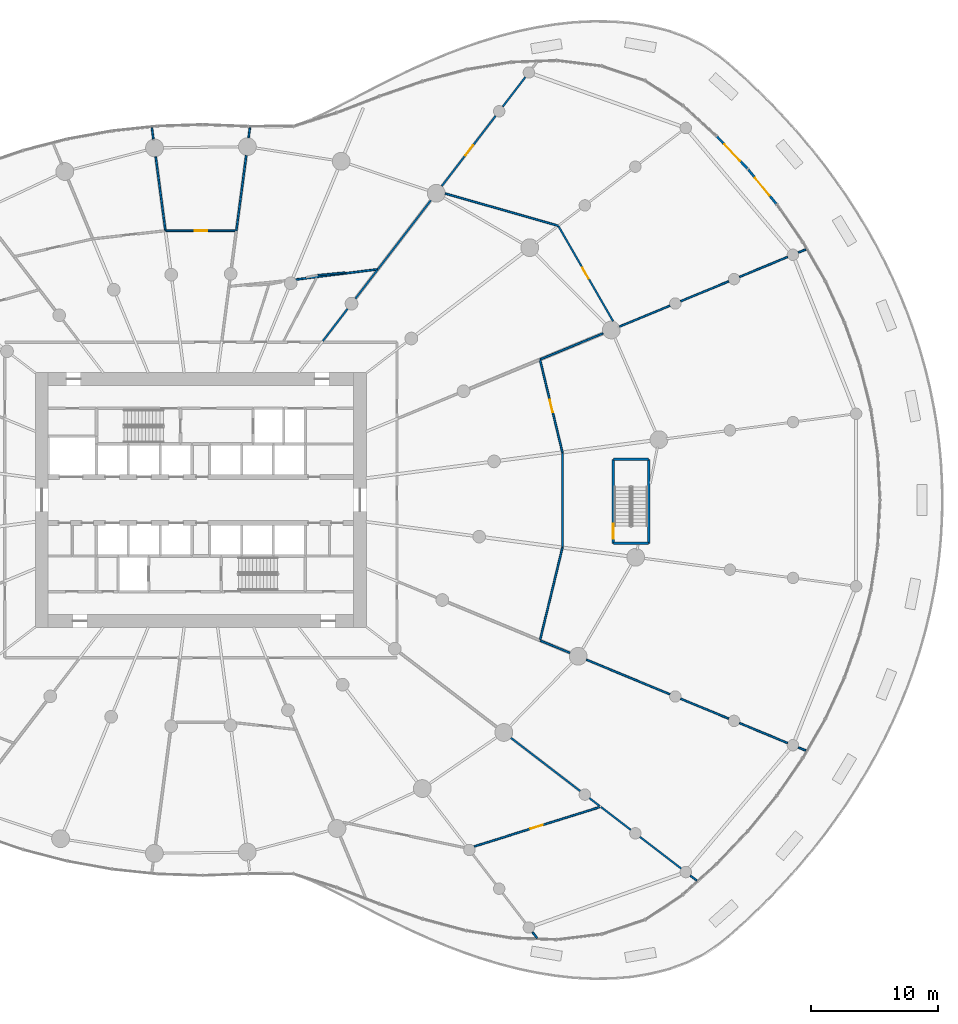
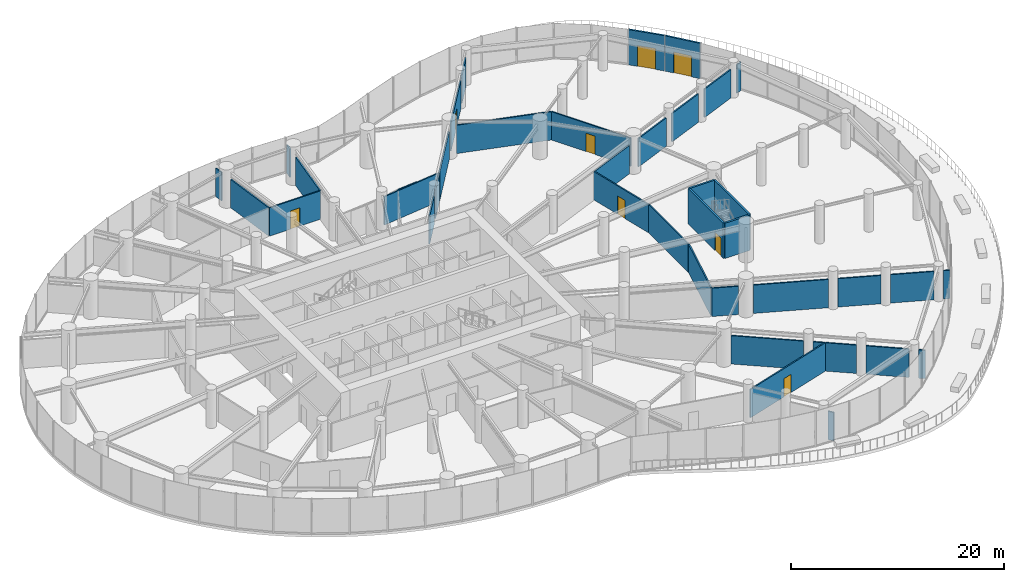
# One storey, part 18 of 24: 40 walls, 8 doors, 8 openings.
"""IFC4 building model written with IfcOpenShell, lengths in metres."""

from ifc_helpers import new_model, si_unit, direction, frame, frame_2d, origin, place, context, subcontext, project, spatial, rectangle, extrude, source, transform, mapped, material, layer, layer_set, type_object, element, fill, save


model = new_model("IFC4")

# Units and contexts
model_context = context("Model", 3, precision=1e-05, world=origin(), true_north=direction((0.0, 1.0)))
body_context = subcontext(model_context, "Body", "Model", "MODEL_VIEW")
ifc_project = project(units=[si_unit("LENGTHUNIT", "METRE"), si_unit("AREAUNIT", "SQUARE_METRE"), si_unit("VOLUMEUNIT", "CUBIC_METRE"), si_unit("PLANEANGLEUNIT", "RADIAN"), si_unit("MASSUNIT", "GRAM", prefix="KILO")], contexts=[model_context])

# Site, building, storey
site_placement = place(None, origin())
site = spatial("IfcSite", under=ifc_project, at=site_placement, CompositionType="ELEMENT")
building_placement = place(site_placement, origin())
building = spatial("IfcBuilding", under=site, at=building_placement, Name="Spindrift Exchange Tower", CompositionType="ELEMENT")
storey_placement = place(building_placement, frame((0.0, 0.0, 5.0)))
storey = spatial("IfcBuildingStorey", under=building, at=storey_placement, Name="L01", CompositionType="ELEMENT", Elevation=5.0)

# Wall, opening, door
ifc_material_1 = material(Name="Bronze anodised aluminium frame with fritted laminated glass spandrel", Category="aluminium")
ifc_layer_1 = layer(ifc_material_1, 0.179931640625)
ifc_layer_set_1 = layer_set([ifc_layer_1], Name="UNITISED FRAME WALL")
wall_type_1 = type_object("IfcWallType", Name="UNITISED FRAME WALL", PredefinedType="STANDARD", material=ifc_layer_set_1)
wall_1_placement = place(storey_placement, frame((97.2099609375, 71.264892578125, 0.0), z_axis=(0.0, 0.0, 1.0), x_axis=(-0.632333608818, 0.77469620314, 0.0)))
wall_1 = element("IfcWall", 1, at=wall_1_placement, inside=storey, type_object=wall_type_1, Name="L01 Frame Wall 8", PredefinedType="STANDARD", context=body_context, shape_type="SweptSolid", body=[
    extrude(rectangle(XDim=3.486328125, YDim=0.179931640625, at=frame_2d((1.7431640625, 0.0))), origin(), (0.0, 0.0, 1.0), 4.050048828125),
])
opening_1_placement = place(wall_1_placement, frame((0.84326171875, 0.0, 0.0)))
opening_1 = element("IfcOpeningElement", 2, at=opening_1_placement, cuts=wall_1, Name="Opening ED01-1", PredefinedType="OPENING", context=body_context, shape_type="SweptSolid", body=[
    extrude(rectangle(XDim=1.800048828125, YDim=2.39990234375, at=frame_2d((0.89990234375, 1.199951171875))), frame((0.0, 0.099853515625, 0.0), z_axis=(0.0, -1.0, 0.0), x_axis=(1.0, 0.0, 0.0)), (0.0, 0.0, 1.0), 0.199951171875),
])
ifc_material_2 = material(Name="Toughened laminated glass in bronze frame", Category="glass")
door_type_1 = type_object("IfcDoorType", Name="TERRACE GLASS DOOR 1800X2400", OperationType="DOUBLE_DOOR_SINGLE_SWING", PredefinedType="DOOR", material=ifc_material_2)
shared_shape_1 = source(origin(), body_context, "Body", "SweptSolid", [
    extrude(rectangle(XDim=1.800048828125, YDim=2.39990234375, at=frame_2d((0.89990234375, 1.199951171875))), frame((0.0, 0.02490234375, 0.0), z_axis=(0.0, -1.0, 0.0), x_axis=(1.0, 0.0, 0.0)), (0.0, 0.0, 1.0), 0.050048828125),
])
door_1_placement = place(opening_1_placement, origin())
door_1 = element("IfcDoor", 3, at=door_1_placement, inside=storey, type_object=door_type_1, Name="L01 Terrace Glass Door ED01-1", OperationType="DOUBLE_DOOR_SINGLE_SWING", OverallHeight=2.39990234375, OverallWidth=1.800048828125, PredefinedType="DOOR", context=body_context, shape_type="MappedRepresentation", body=[
    mapped(shared_shape_1, transform((0.0, 0.0, 0.0), scale=1.0)),
])
fill(opening_1, door_1)

wall_2_placement = place(storey_placement, frame((94.94580078125, 74.033447265625, 0.0), z_axis=(0.0, 0.0, 1.0), x_axis=(-0.689168934046, 0.724600704075, 0.0)))
wall_2 = element("IfcWall", 4, at=wall_2_placement, inside=storey, type_object=wall_type_1, Name="L01 Frame Wall 9", PredefinedType="STANDARD", context=body_context, shape_type="SweptSolid", body=[
    extrude(rectangle(XDim=3.486572265625, YDim=0.179931640625, at=frame_2d((1.7431640625, 0.0))), origin(), (0.0, 0.0, 1.0), 4.050048828125),
])
opening_2_placement = place(wall_2_placement, frame((0.84326171875, 0.0, 0.0)))
opening_2 = element("IfcOpeningElement", 5, at=opening_2_placement, cuts=wall_2, Name="Opening ED01-2", PredefinedType="OPENING", context=body_context, shape_type="SweptSolid", body=[
    extrude(rectangle(XDim=1.800048828125, YDim=2.39990234375, at=frame_2d((0.89990234375, 1.199951171875))), frame((0.0, 0.099853515625, 0.0), z_axis=(0.0, -1.0, 0.0), x_axis=(1.0, 0.0, 0.0)), (0.0, 0.0, 1.0), 0.199951171875),
])
door_2_placement = place(opening_2_placement, origin())
door_2 = element("IfcDoor", 6, at=door_2_placement, inside=storey, type_object=door_type_1, Name="L01 Terrace Glass Door ED01-2", OperationType="DOUBLE_DOOR_SINGLE_SWING", OverallHeight=2.39990234375, OverallWidth=1.800048828125, PredefinedType="DOOR", context=body_context, shape_type="MappedRepresentation", body=[
    mapped(shared_shape_1, transform((0.0, 0.0, 0.0), scale=1.0)),
])
fill(opening_2, door_2)

# Wall
ifc_material_3 = material(Name="Fire-rated plasterboard partition", Category="gypsum")
ifc_layer_2 = layer(ifc_material_3, 0.1201171875)
ifc_layer_set_2 = layer_set([ifc_layer_2], Name="W-PLANT-120")
wall_type_2 = type_object("IfcWallType", Name="W-PLANT-120", PredefinedType="PARTITIONING", material=ifc_layer_set_2)
wall_3_placement = place(storey_placement, frame((63.32763671875, 65.875, 0.0), z_axis=(0.0, 0.0, 1.0), x_axis=(-0.995247178859, -0.097380968234, 0.0)))
element("IfcWall", 7, at=wall_3_placement, inside=storey, type_object=wall_type_2, Name="L01 Partition wall 166", PredefinedType="PARTITIONING", context=body_context, shape_type="SweptSolid", body=[
    extrude(rectangle(XDim=2.14111328125, YDim=0.1201171875, at=frame_2d((1.070556640625, 0.0))), origin(), (0.0, 0.0, 1.0), 3.25),
])

# Wall, opening, door
ifc_layer_3 = layer(ifc_material_3, 0.139892578125)
ifc_layer_set_3 = layer_set([ifc_layer_3], Name="W-PLANT-140")
wall_type_3 = type_object("IfcWallType", Name="W-PLANT-140", PredefinedType="PARTITIONING", material=ifc_layer_set_3)
wall_4_placement = place(storey_placement, frame((83.412353515625, 23.896484375, 0.0), z_axis=(0.0, 0.0, 1.0), x_axis=(-0.954121832826, -0.299418650262, 0.0)))
wall_4 = element("IfcWall", 8, at=wall_4_placement, inside=storey, type_object=wall_type_3, Name="L01 Partition wall 69", PredefinedType="PARTITIONING", context=body_context, shape_type="SweptSolid", body=[
    extrude(rectangle(XDim=10.427001953125, YDim=0.139892578125, at=frame_2d((5.21337890625, 0.0))), origin(), (0.0, 0.0, 1.0), 3.25),
])
opening_3_placement = place(wall_4_placement, frame((4.777099609375, 0.0, 0.0)))
opening_3 = element("IfcOpeningElement", 9, at=opening_3_placement, cuts=wall_4, Name="Opening L01-D49", PredefinedType="OPENING", context=body_context, shape_type="SweptSolid", body=[
    extrude(rectangle(XDim=1.0, YDim=2.10009765625, at=frame_2d((0.5, 1.050048828125))), frame((0.0, 0.079833984375, 0.0), z_axis=(0.0, -1.0, 0.0), x_axis=(1.0, 0.0, 0.0)), (0.0, 0.0, 1.0), 0.159912109375),
])
ifc_material_4 = material(Name="Timber-core fire door", Category="wood")
door_type_2 = type_object("IfcDoorType", Name="DR-ROOM-1000", OperationType="NOTDEFINED", PredefinedType="DOOR", material=ifc_material_4)
shared_shape_2 = source(origin(), body_context, "Body", "SweptSolid", [
    extrude(rectangle(XDim=1.0, YDim=2.10009765625, at=frame_2d((0.5, 1.050048828125))), frame((0.0, 0.02490234375, 0.0), z_axis=(0.0, -1.0, 0.0), x_axis=(1.0, 0.0, 0.0)), (0.0, 0.0, 1.0), 0.050048828125),
])
door_3_placement = place(opening_3_placement, origin())
door_3 = element("IfcDoor", 10, at=door_3_placement, inside=storey, type_object=door_type_2, Name="L01 Door 49", OperationType="SINGLE_SWING_LEFT", OverallHeight=2.10009765625, OverallWidth=1.0, PredefinedType="DOOR", context=body_context, shape_type="MappedRepresentation", body=[
    mapped(shared_shape_2, transform((0.0, 0.0, 0.0), scale=1.0)),
])
fill(opening_3, door_3)

# Wall
wall_5_placement = place(storey_placement, frame((80.076416015625, 69.543701171875, 0.0), z_axis=(0.0, 0.0, 1.0), x_axis=(-0.961447102661, 0.27498994306, 0.0)))
element("IfcWall", 11, at=wall_5_placement, inside=storey, type_object=wall_type_3, Name="L01 Partition wall 72", PredefinedType="PARTITIONING", context=body_context, shape_type="SweptSolid", body=[
    extrude(rectangle(XDim=9.23583984375, YDim=0.139892578125, at=frame_2d((4.617919921875, 0.0))), origin(), (0.0, 0.0, 1.0), 3.25),
])

# Wall, opening, door
wall_6_placement = place(storey_placement, frame((80.09130859375, 69.517822265625, 0.0), z_axis=(0.0, 0.0, 1.0), x_axis=(0.498474851257, -0.866904160023, 0.0)))
wall_6 = element("IfcWall", 12, at=wall_6_placement, inside=storey, type_object=wall_type_3, Name="L01 Partition wall 74", PredefinedType="PARTITIONING", context=body_context, shape_type="SweptSolid", body=[
    extrude(rectangle(XDim=8.615234375, YDim=0.139892578125, at=frame_2d((4.3076171875, 0.0))), origin(), (0.0, 0.0, 1.0), 3.25),
])
opening_4_placement = place(wall_6_placement, frame((3.764892578125, 0.0, 0.0)))
opening_4 = element("IfcOpeningElement", 13, at=opening_4_placement, cuts=wall_6, Name="Opening L01-D27", PredefinedType="OPENING", context=body_context, shape_type="SweptSolid", body=[
    extrude(rectangle(XDim=1.0, YDim=2.10009765625, at=frame_2d((0.5, 1.050048828125))), frame((0.0, 0.079833984375, 0.0), z_axis=(0.0, -1.0, 0.0), x_axis=(1.0, 0.0, 0.0)), (0.0, 0.0, 1.0), 0.159912109375),
])
door_4_placement = place(opening_4_placement, origin())
door_4 = element("IfcDoor", 14, at=door_4_placement, inside=storey, type_object=door_type_2, Name="L01 Door 27", OperationType="SINGLE_SWING_LEFT", OverallHeight=2.10009765625, OverallWidth=1.0, PredefinedType="DOOR", context=body_context, shape_type="MappedRepresentation", body=[
    mapped(shared_shape_2, transform((0.0, 0.0, 0.0), scale=1.0)),
])
fill(opening_4, door_4)

wall_7_placement = place(storey_placement, frame((78.6416015625, 59.035400390625, 0.0), z_axis=(0.0, 0.0, 1.0), x_axis=(0.235066566732, -0.971979274061, 0.0)))
wall_7 = element("IfcWall", 15, at=wall_7_placement, inside=storey, type_object=wall_type_3, Name="L01 Partition wall 78", PredefinedType="PARTITIONING", context=body_context, shape_type="SweptSolid", body=[
    extrude(rectangle(XDim=7.505859375, YDim=0.139892578125, at=frame_2d((3.7529296875, 0.0))), origin(), (0.0, 0.0, 1.0), 3.25),
])
opening_5_placement = place(wall_7_placement, frame((3.255859375, 0.0, 0.0)))
opening_5 = element("IfcOpeningElement", 16, at=opening_5_placement, cuts=wall_7, Name="Opening L01-D25", PredefinedType="OPENING", context=body_context, shape_type="SweptSolid", body=[
    extrude(rectangle(XDim=1.0, YDim=2.10009765625, at=frame_2d((0.5, 1.050048828125))), frame((0.0, 0.079833984375, 0.0), z_axis=(0.0, -1.0, 0.0), x_axis=(1.0, 0.0, 0.0)), (0.0, 0.0, 1.0), 0.159912109375),
])
door_5_placement = place(opening_5_placement, origin())
door_5 = element("IfcDoor", 17, at=door_5_placement, inside=storey, type_object=door_type_2, Name="L01 Door 25", OperationType="SINGLE_SWING_LEFT", OverallHeight=2.10009765625, OverallWidth=1.0, PredefinedType="DOOR", context=body_context, shape_type="MappedRepresentation", body=[
    mapped(shared_shape_2, transform((0.0, 0.0, 0.0), scale=1.0)),
])
fill(opening_5, door_5)

# Walls
wall_8_placement = place(storey_placement, frame((78.658203125, 37.03369140625, 0.0), z_axis=(0.0, 0.0, 1.0), x_axis=(0.235080266969, 0.97197596065, 0.0)))
element("IfcWall", 18, at=wall_8_placement, inside=storey, type_object=wall_type_3, Name="L01 Partition wall 79", PredefinedType="PARTITIONING", context=body_context, shape_type="SweptSolid", body=[
    extrude(rectangle(XDim=7.434814453125, YDim=0.139892578125, at=frame_2d((3.71728515625, 0.0))), origin(), (0.0, 0.0, 1.0), 3.25),
])
wall_9_placement = place(storey_placement, frame((80.406005859375, 44.290283203125, 0.0), z_axis=(0.0, 0.0, 1.0), x_axis=(0.0, 1.0, 0.0)))
element("IfcWall", 19, at=wall_9_placement, inside=storey, type_object=wall_type_3, Name="L01 Partition wall 80", PredefinedType="PARTITIONING", context=body_context, shape_type="SweptSolid", body=[
    extrude(rectangle(XDim=7.41943359375, YDim=0.139892578125, at=frame_2d((3.709716796875, 0.0))), origin(), (0.0, 0.0, 1.0), 3.25),
])
wall_10_placement = place(storey_placement, frame((82.2958984375, 35.450927734375, 0.0), z_axis=(0.0, 0.0, 1.0), x_axis=(0.923879762642, -0.382682876779, 0.0)))
element("IfcWall", 20, at=wall_10_placement, inside=storey, type_object=wall_type_3, Name="L01 Partition wall 83", PredefinedType="PARTITIONING", context=body_context, shape_type="SweptSolid", body=[
    extrude(rectangle(XDim=7.0986328125, YDim=0.139892578125, at=frame_2d((3.54931640625, 0.0))), origin(), (0.0, 0.0, 1.0), 3.25),
])

# Wall, opening, door
wall_11_placement = place(storey_placement, frame((70.9208984375, 72.658447265625, 0.0), z_axis=(0.0, 0.0, 1.0), x_axis=(0.608788506125, 0.793332562555, 0.0)))
wall_11 = element("IfcWall", 21, at=wall_11_placement, inside=storey, type_object=wall_type_3, Name="L01 Partition wall 85", PredefinedType="PARTITIONING", context=body_context, shape_type="SweptSolid", body=[
    extrude(rectangle(XDim=6.962646484375, YDim=0.139892578125, at=frame_2d((3.4814453125, 0.0))), origin(), (0.0, 0.0, 1.0), 3.25),
])
opening_6_placement = place(wall_11_placement, frame((3.050048828125, 0.0, 0.0)))
opening_6 = element("IfcOpeningElement", 22, at=opening_6_placement, cuts=wall_11, Name="Opening L01-D35", PredefinedType="OPENING", context=body_context, shape_type="SweptSolid", body=[
    extrude(rectangle(XDim=1.0, YDim=2.10009765625, at=frame_2d((0.5, 1.050048828125))), frame((0.0, 0.079833984375, 0.0), z_axis=(0.0, -1.0, 0.0), x_axis=(1.0, 0.0, 0.0)), (0.0, 0.0, 1.0), 0.159912109375),
])
door_6_placement = place(opening_6_placement, origin())
door_6 = element("IfcDoor", 23, at=door_6_placement, inside=storey, type_object=door_type_2, Name="L01 Door 35", OperationType="SINGLE_SWING_LEFT", OverallHeight=2.10009765625, OverallWidth=1.0, PredefinedType="DOOR", context=body_context, shape_type="MappedRepresentation", body=[
    mapped(shared_shape_2, transform((0.0, 0.0, 0.0), scale=1.0)),
])
fill(opening_6, door_6)

# Walls
wall_12_placement = place(storey_placement, frame((76.359375, 29.30859375, 0.0), z_axis=(0.0, 0.0, 1.0), x_axis=(0.793338893585, -0.60878025586, 0.0)))
element("IfcWall", 24, at=wall_12_placement, inside=storey, type_object=wall_type_3, Name="L01 Partition wall 86", PredefinedType="PARTITIONING", context=body_context, shape_type="SweptSolid", body=[
    extrude(rectangle(XDim=6.86279296875, YDim=0.139892578125, at=frame_2d((3.431396484375, 0.0))), origin(), (0.0, 0.0, 1.0), 3.25),
])
wall_13_placement = place(storey_placement, frame((65.909423828125, 66.127197265625, 0.0), z_axis=(0.0, 0.0, 1.0), x_axis=(0.608773229352, 0.79334428543, 0.0)))
element("IfcWall", 25, at=wall_13_placement, inside=storey, type_object=wall_type_3, Name="L01 Partition wall 87", PredefinedType="PARTITIONING", context=body_context, shape_type="SweptSolid", body=[
    extrude(rectangle(XDim=6.823974609375, YDim=0.139892578125, at=frame_2d((3.412109375, 0.0))), origin(), (0.0, 0.0, 1.0), 3.25),
])
wall_14_placement = place(storey_placement, frame((65.8798828125, 66.12353515625, 0.0), z_axis=(0.0, 0.0, 1.0), x_axis=(-0.992269737838, -0.124099828249, 0.0)))
element("IfcWall", 26, at=wall_14_placement, inside=storey, type_object=wall_type_3, Name="L01 Partition wall 89", PredefinedType="PARTITIONING", context=body_context, shape_type="SweptSolid", body=[
    extrude(rectangle(XDim=6.462646484375, YDim=0.139892578125, at=frame_2d((3.2314453125, 0.0))), origin(), (0.0, 0.0, 1.0), 3.25),
])
wall_15_placement = place(storey_placement, frame((54.785400390625, 69.15673828125, 0.0), z_axis=(0.0, 0.0, 1.0), x_axis=(0.130523417799, 0.991445226629, 0.0)))
element("IfcWall", 27, at=wall_15_placement, inside=storey, type_object=wall_type_3, Name="L01 Partition wall 93", PredefinedType="PARTITIONING", context=body_context, shape_type="SweptSolid", body=[
    extrude(rectangle(XDim=5.95751953125, YDim=0.139892578125, at=frame_2d((2.978759765625, 0.0))), origin(), (0.0, 0.0, 1.0), 3.25),
])
wall_16_placement = place(storey_placement, frame((49.214599609375, 69.15673828125, 0.0), z_axis=(0.0, 0.0, 1.0), x_axis=(-0.130522448973, 0.991445354174, 0.0)))
element("IfcWall", 28, at=wall_16_placement, inside=storey, type_object=wall_type_3, Name="L01 Partition wall 94", PredefinedType="PARTITIONING", context=body_context, shape_type="SweptSolid", body=[
    extrude(rectangle(XDim=5.8564453125, YDim=0.139892578125, at=frame_2d((2.92822265625, 0.0))), origin(), (0.0, 0.0, 1.0), 3.25),
])

# Wall, opening, door
wall_17_placement = place(storey_placement, frame((49.24462890625, 69.15673828125, 0.0), z_axis=(0.0, 0.0, 1.0), x_axis=(1.0, 0.0, 0.0)))
wall_17 = element("IfcWall", 29, at=wall_17_placement, inside=storey, type_object=wall_type_3, Name="L01 Partition wall 97", PredefinedType="PARTITIONING", context=body_context, shape_type="SweptSolid", body=[
    extrude(rectangle(XDim=5.5107421875, YDim=0.139892578125, at=frame_2d((2.75537109375, 0.0))), origin(), (0.0, 0.0, 1.0), 3.25),
])
opening_7_placement = place(wall_17_placement, frame((2.2607421875, 0.0, 0.0)))
opening_7 = element("IfcOpeningElement", 30, at=opening_7_placement, cuts=wall_17, Name="Opening L01-D32", PredefinedType="OPENING", context=body_context, shape_type="SweptSolid", body=[
    extrude(rectangle(XDim=1.0, YDim=2.10009765625, at=frame_2d((0.5, 1.050048828125))), frame((0.0, 0.079833984375, 0.0), z_axis=(0.0, -1.0, 0.0), x_axis=(1.0, 0.0, 0.0)), (0.0, 0.0, 1.0), 0.159912109375),
])
door_7_placement = place(opening_7_placement, origin())
door_7 = element("IfcDoor", 31, at=door_7_placement, inside=storey, type_object=door_type_2, Name="L01 Door 32", OperationType="SINGLE_SWING_RIGHT", OverallHeight=2.10009765625, OverallWidth=1.0, PredefinedType="DOOR", context=body_context, shape_type="MappedRepresentation", body=[
    mapped(shared_shape_2, transform((0.0, 0.0, 0.0), scale=1.0)),
])
fill(opening_7, door_7)

# Walls
wall_18_placement = place(storey_placement, frame((78.669189453125, 59.046875, 0.0), z_axis=(0.0, 0.0, 1.0), x_axis=(0.923891330959, 0.382654947151, 0.0)))
element("IfcWall", 32, at=wall_18_placement, inside=storey, type_object=wall_type_3, Name="L01 Partition wall 100", PredefinedType="PARTITIONING", context=body_context, shape_type="SweptSolid", body=[
    extrude(rectangle(XDim=5.33447265625, YDim=0.139892578125, at=frame_2d((2.667236328125, 0.0))), origin(), (0.0, 0.0, 1.0), 3.25),
])
wall_19_placement = place(storey_placement, frame((84.900146484375, 61.627685546875, 0.0), z_axis=(0.0, 0.0, 1.0), x_axis=(0.923871522787, 0.382702768979, 0.0)))
element("IfcWall", 33, at=wall_19_placement, inside=storey, type_object=wall_type_3, Name="L01 Partition wall 112", PredefinedType="PARTITIONING", context=body_context, shape_type="SweptSolid", body=[
    extrude(rectangle(XDim=4.280029296875, YDim=0.139892578125, at=frame_2d((2.14013671875, 0.0))), origin(), (0.0, 0.0, 1.0), 3.25),
])
wall_20_placement = place(storey_placement, frame((86.491943359375, 21.533447265625, 0.0), z_axis=(0.0, 0.0, 1.0), x_axis=(0.793355578527, -0.608758512072, 0.0)))
element("IfcWall", 34, at=wall_20_placement, inside=storey, type_object=wall_type_3, Name="L01 Partition wall 115", PredefinedType="PARTITIONING", context=body_context, shape_type="SweptSolid", body=[
    extrude(rectangle(XDim=4.090576171875, YDim=0.139892578125, at=frame_2d((2.04541015625, 0.0))), origin(), (0.0, 0.0, 1.0), 3.25),
])
for number, where, z_axis, x_axis, name in (
    (35, (94.314208984375, 30.472900390625, 0.0), (0.0, 0.0, 1.0), (0.923874959136, -0.382694473284, 0.0), "L01 Partition wall 116"),
    (36, (94.314208984375, 65.527099609375, 0.0), (0.0, 0.0, 1.0), (0.923874959136, 0.382694473284, 0.0), "L01 Partition wall 117"),
):
    element("IfcWall", number, at=place(storey_placement, frame(where, z_axis=z_axis, x_axis=x_axis)), inside=storey, type_object=wall_type_3, Name=name, PredefinedType="PARTITIONING", context=body_context, shape_type="SweptSolid", body=[
        extrude(rectangle(XDim=4.08984375, YDim=0.139892578125, at=frame_2d((2.044921875, 0.0))), origin(), (0.0, 0.0, 1.0), 3.25),
    ])
for number, where, z_axis, x_axis, name in (
    (37, (89.695068359375, 32.38623046875, 0.0), (0.0, 0.0, 1.0), (0.92386621601, -0.382715579661, 0.0), "L01 Partition wall 118"),
    (38, (89.695068359375, 63.61376953125, 0.0), (0.0, 0.0, 1.0), (0.92386621601, 0.382715579661, 0.0), "L01 Partition wall 119"),
):
    element("IfcWall", number, at=place(storey_placement, frame(where, z_axis=z_axis, x_axis=x_axis)), inside=storey, type_object=wall_type_3, Name=name, PredefinedType="PARTITIONING", context=body_context, shape_type="SweptSolid", body=[
        extrude(rectangle(XDim=4.089599609375, YDim=0.139892578125, at=frame_2d((2.044921875, 0.0))), origin(), (0.0, 0.0, 1.0), 3.25),
    ])
wall_21_placement = place(storey_placement, frame((61.583984375, 60.489990234375, 0.0), z_axis=(0.0, 0.0, 1.0), x_axis=(0.60874605662, 0.793365135703, 0.0)))
element("IfcWall", 39, at=wall_21_placement, inside=storey, type_object=wall_type_3, Name="L01 Partition wall 129", PredefinedType="PARTITIONING", context=body_context, shape_type="SweptSolid", body=[
    extrude(rectangle(XDim=3.193603515625, YDim=0.139892578125, at=frame_2d((1.5966796875, 0.0))), origin(), (0.0, 0.0, 1.0), 3.25),
])
wall_22_placement = place(storey_placement, frame((83.436279296875, 23.878173828125, 0.0), z_axis=(0.0, 0.0, 1.0), x_axis=(0.793360579515, -0.608751994552, 0.0)))
element("IfcWall", 40, at=wall_22_placement, inside=storey, type_object=wall_type_3, Name="L01 Partition wall 131", PredefinedType="PARTITIONING", context=body_context, shape_type="SweptSolid", body=[
    extrude(rectangle(XDim=2.942626953125, YDim=0.139892578125, at=frame_2d((1.47119140625, 0.0))), origin(), (0.0, 0.0, 1.0), 3.25),
])
wall_23_placement = place(storey_placement, frame((75.712890625, 78.9033203125, 0.0), z_axis=(0.0, 0.0, 1.0), x_axis=(0.608804147927, 0.793320559085, 0.0)))
element("IfcWall", 41, at=wall_23_placement, inside=storey, type_object=wall_type_3, Name="L01 Partition wall 134", PredefinedType="PARTITIONING", context=body_context, shape_type="SweptSolid", body=[
    extrude(rectangle(XDim=2.929443359375, YDim=0.139892578125, at=frame_2d((1.46484375, 0.0))), origin(), (0.0, 0.0, 1.0), 3.25),
])
wall_24_placement = place(storey_placement, frame((64.14208984375, 63.823974609375, 0.0), z_axis=(0.0, 0.0, 1.0), x_axis=(0.608770075861, 0.793346705253, 0.0)))
element("IfcWall", 42, at=wall_24_placement, inside=storey, type_object=wall_type_3, Name="L01 Partition wall 136", PredefinedType="PARTITIONING", context=body_context, shape_type="SweptSolid", body=[
    extrude(rectangle(XDim=2.861083984375, YDim=0.139892578125, at=frame_2d((1.4306640625, 0.0))), origin(), (0.0, 0.0, 1.0), 3.25),
])
wall_25_placement = place(storey_placement, frame((78.669189453125, 36.953125, 0.0), z_axis=(0.0, 0.0, 1.0), x_axis=(0.923876063287, -0.382691807705, 0.0)))
element("IfcWall", 43, at=wall_25_placement, inside=storey, type_object=wall_type_3, Name="L01 Partition wall 138", PredefinedType="PARTITIONING", context=body_context, shape_type="SweptSolid", body=[
    extrude(rectangle(XDim=2.515380859375, YDim=0.139892578125, at=frame_2d((1.2578125, 0.0))), origin(), (0.0, 0.0, 1.0), 3.25),
])
wall_26_placement = place(storey_placement, frame((82.525146484375, 24.5771484375, 0.0), z_axis=(0.0, 0.0, 1.0), x_axis=(0.793370394363, -0.608739203065, 0.0)))
element("IfcWall", 44, at=wall_26_placement, inside=storey, type_object=wall_type_3, Name="L01 Partition wall 150", PredefinedType="PARTITIONING", context=body_context, shape_type="SweptSolid", body=[
    extrude(rectangle(XDim=1.03271484375, YDim=0.139892578125, at=frame_2d((0.516357421875, 0.0))), origin(), (0.0, 0.0, 1.0), 3.25),
])
wall_27_placement = place(storey_placement, frame((48.266357421875, 76.359619140625, 0.0), z_axis=(0.0, 0.0, 1.0), x_axis=(-0.13059675412, 0.991435569169, 0.0)))
element("IfcWall", 45, at=wall_27_placement, inside=storey, type_object=wall_type_3, Name="L01 Partition wall 151", PredefinedType="PARTITIONING", context=body_context, shape_type="SweptSolid", body=[
    extrude(rectangle(XDim=0.887939453125, YDim=0.139892578125, at=frame_2d((0.44384765625, 0.0))), origin(), (0.0, 0.0, 1.0), 3.25),
])
wall_28_placement = place(storey_placement, frame((55.746826171875, 76.459716796875, 0.0), z_axis=(0.0, 0.0, 1.0), x_axis=(0.130598952658, 0.991435279564, 0.0)))
element("IfcWall", 46, at=wall_28_placement, inside=storey, type_object=wall_type_3, Name="L01 Partition wall 155", PredefinedType="PARTITIONING", context=body_context, shape_type="SweptSolid", body=[
    extrude(rectangle(XDim=0.787109375, YDim=0.139892578125, at=frame_2d((0.3935546875, 0.0))), origin(), (0.0, 0.0, 1.0), 3.25),
])
for number, where, z_axis, x_axis, name in (
    (47, (98.93359375, 28.5595703125, 0.0), (0.0, 0.0, 1.0), (0.923725485177, -0.383055124016, 0.0), "L01 Partition wall 157"),
    (48, (98.93359375, 67.4404296875, 0.0), (0.0, 0.0, 1.0), (0.923725485177, 0.383055124016, 0.0), "L01 Partition wall 158"),
    (49, (90.45849609375, 18.48974609375, 0.0), (0.0, 0.0, 1.0), (0.793339619552, -0.608779309807, 0.0), "L01 Partition wall 159"),
):
    element("IfcWall", number, at=place(storey_placement, frame(where, z_axis=z_axis, x_axis=x_axis)), inside=storey, type_object=wall_type_3, Name=name, PredefinedType="PARTITIONING", context=body_context, shape_type="SweptSolid", body=[
        extrude(rectangle(XDim=0.633544921875, YDim=0.139892578125, at=frame_2d((0.31689453125, 0.0))), origin(), (0.0, 0.0, 1.0), 3.25),
    ])
wall_29_placement = place(storey_placement, frame((78.049560546875, 14.051513671875, 0.0), z_axis=(0.0, 0.0, 1.0), x_axis=(0.608753749501, -0.793359232926, 0.0)))
element("IfcWall", 50, at=wall_29_placement, inside=storey, type_object=wall_type_3, Name="L01 Partition wall 160", PredefinedType="PARTITIONING", context=body_context, shape_type="SweptSolid", body=[
    extrude(rectangle(XDim=0.6044921875, YDim=0.139892578125, at=frame_2d((0.30224609375, 0.0))), origin(), (0.0, 0.0, 1.0), 3.25),
])
ifc_material_5 = material(Name="Concrete 40 MPa", Category="concrete")
ifc_layer_4 = layer(ifc_material_5, 0.199951171875)
ifc_layer_set_4 = layer_set([ifc_layer_4], Name="W-SHAFT-200-LB")
wall_type_4 = type_object("IfcWallType", Name="W-SHAFT-200-LB", PredefinedType="SOLIDWALL", material=ifc_layer_set_4)
wall_30_placement = place(storey_placement, frame((87.199951171875, 44.60009765625, 0.0), z_axis=(0.0, 0.0, 1.0), x_axis=(0.0, 1.0, 0.0)))
element("IfcWall", 51, at=wall_30_placement, inside=storey, type_object=wall_type_4, Name="L01 Shaft wall 3", PredefinedType="SOLIDWALL", context=body_context, shape_type="SweptSolid", body=[
    extrude(rectangle(XDim=6.599853515625, YDim=0.199951171875, at=frame_2d((3.2998046875, 0.0))), origin(), (0.0, 0.0, 1.0), 4.050048828125),
])

# Wall, opening, door
wall_31_placement = place(storey_placement, frame((84.39990234375, 51.199951171875, 0.0), z_axis=(0.0, 0.0, 1.0), x_axis=(0.0, -1.0, 0.0)))
wall_31 = element("IfcWall", 52, at=wall_31_placement, inside=storey, type_object=wall_type_4, Name="L01 Shaft wall 4", PredefinedType="SOLIDWALL", context=body_context, shape_type="SweptSolid", body=[
    extrude(rectangle(XDim=6.599853515625, YDim=0.199951171875, at=frame_2d((3.2998046875, 0.0))), origin(), (0.0, 0.0, 1.0), 4.050048828125),
])
opening_8_placement = place(wall_31_placement, frame((5.050048828125, 0.0, 0.0)))
opening_8 = element("IfcOpeningElement", 53, at=opening_8_placement, cuts=wall_31, Name="Opening L01-D51", PredefinedType="OPENING", context=body_context, shape_type="SweptSolid", body=[
    extrude(rectangle(XDim=1.199951171875, YDim=2.10009765625, at=frame_2d((0.60009765625, 1.050048828125))), frame((0.0, 0.10986328125, 0.0), z_axis=(0.0, -1.0, 0.0), x_axis=(1.0, 0.0, 0.0)), (0.0, 0.0, 1.0), 0.219970703125),
])
ifc_material_6 = material(Name="Steel fire door", Category="steel")
door_type_3 = type_object("IfcDoorType", Name="DR-STAIR-1200", OperationType="NOTDEFINED", PredefinedType="DOOR", material=ifc_material_6)
shared_shape_3 = source(origin(), body_context, "Body", "SweptSolid", [
    extrude(rectangle(XDim=1.199951171875, YDim=2.10009765625, at=frame_2d((0.60009765625, 1.050048828125))), frame((0.0, 0.02490234375, 0.0), z_axis=(0.0, -1.0, 0.0), x_axis=(1.0, 0.0, 0.0)), (0.0, 0.0, 1.0), 0.050048828125),
])
door_8_placement = place(opening_8_placement, origin())
door_8 = element("IfcDoor", 54, at=door_8_placement, inside=storey, type_object=door_type_3, Name="L01 Stair door 51", OperationType="SINGLE_SWING_LEFT", OverallHeight=2.10009765625, OverallWidth=1.199951171875, PredefinedType="DOOR", context=body_context, shape_type="MappedRepresentation", body=[
    mapped(shared_shape_3, transform((0.0, 0.0, 0.0), scale=1.0)),
])
fill(opening_8, door_8)

# Walls
for number, where, z_axis, x_axis, name in (
    (55, (84.429931640625, 44.60009765625, 0.0), (0.0, 0.0, 1.0), (1.0, 0.0, 0.0), "L01 Shaft wall 17"),
    (56, (87.169921875, 51.199951171875, 0.0), (0.0, 0.0, 1.0), (-1.0, 0.0, 0.0), "L01 Shaft wall 18"),
):
    element("IfcWall", number, at=place(storey_placement, frame(where, z_axis=z_axis, x_axis=x_axis)), inside=storey, type_object=wall_type_4, Name=name, PredefinedType="SOLIDWALL", context=body_context, shape_type="SweptSolid", body=[
        extrude(rectangle(XDim=2.739990234375, YDim=0.199951171875, at=frame_2d((1.3701171875, 0.0))), origin(), (0.0, 0.0, 1.0), 4.050048828125),
    ])

save(model, "model.ifc")
